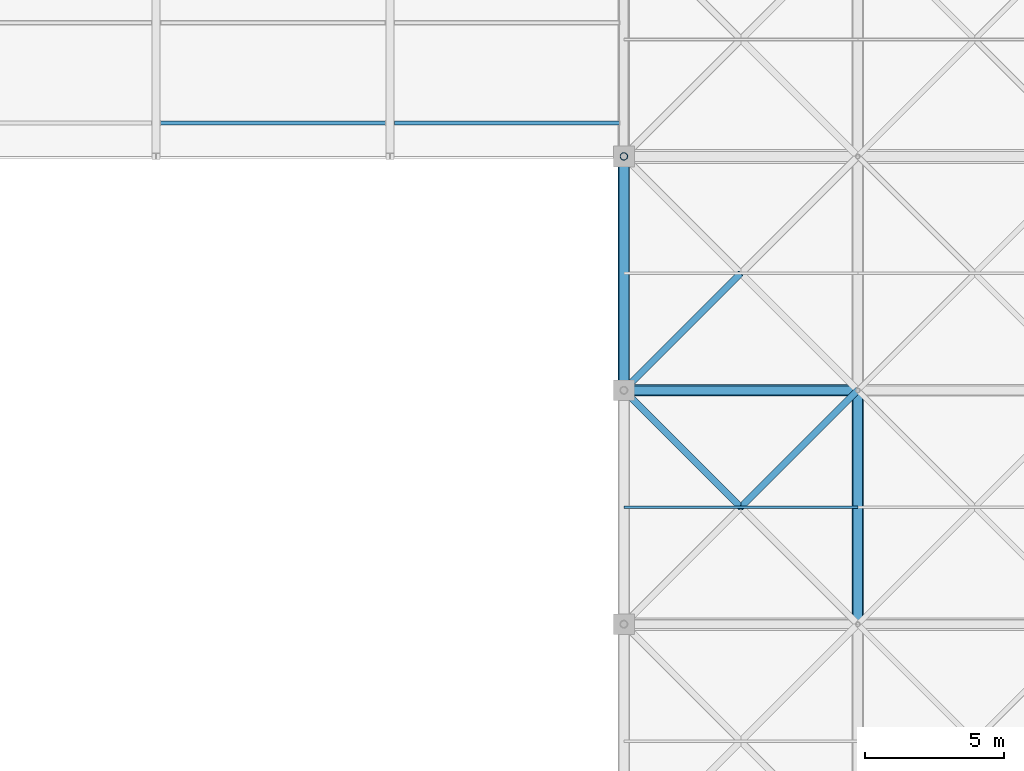
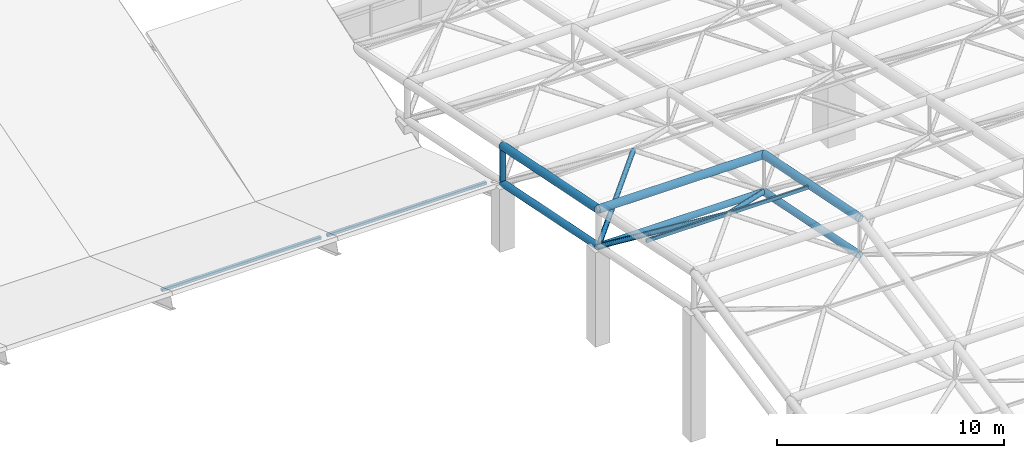
# One storey, part 40 of 110: 13 members.
"""IFC4 building model written with IfcOpenShell, lengths in metres."""

from ifc_helpers import new_model, si_unit, direction, frame, origin, origin_2d, place, context, subcontext, project, spatial, hollow_rectangle, hollow_circle, extrude, material, material_profile, profile_set, type_object, element, save


model = new_model("IFC4")

# Units and contexts
model_context = context("Model", 3, precision=1e-05, world=origin(), true_north=direction((0.0, 1.0)))
body_context = subcontext(model_context, "Body", "Model", "MODEL_VIEW")
ifc_project = project(units=[si_unit("LENGTHUNIT", "METRE"), si_unit("AREAUNIT", "SQUARE_METRE"), si_unit("VOLUMEUNIT", "CUBIC_METRE"), si_unit("PLANEANGLEUNIT", "RADIAN"), si_unit("MASSUNIT", "GRAM", prefix="KILO")], contexts=[model_context])

# Site, building, storey
site_placement = place(None, origin())
site = spatial("IfcSite", under=ifc_project, at=site_placement, CompositionType="ELEMENT")
building_placement = place(site_placement, origin())
building = spatial("IfcBuilding", under=site, at=building_placement, Name="Qawsi Khor Wholesale Market", CompositionType="ELEMENT")
storey_placement = place(building_placement, frame((0.0, 0.0, 11.39990234375)))
storey = spatial("IfcBuildingStorey", under=building, at=storey_placement, Name="L02", CompositionType="ELEMENT", Elevation=11.39990234375)

# Members
ifc_material = material(Name="Steel S355", Category="steel")
ifc_material_profile_1 = material_profile(ifc_material, hollow_rectangle(XDim=0.14990234375, YDim=0.14990234375, WallThickness=0.008056640625, InnerFilletRadius=0.008056640625, OuterFilletRadius=0.01611328125, at=origin_2d()), Name="SHS 150x150x8.0")
ifc_profile_set_1 = profile_set([ifc_material_profile_1], Name="Steel S355")
member_type_1 = type_object("IfcMemberType", Name="Auction Shed Purlin SHS 150x150x8.0", PredefinedType="PURLIN", material=ifc_profile_set_1)
for number, where, z_axis, x_axis, name in (
    (1, (126.162109375, 93.60009765625, 2.7333984375), (1.0, 0.0, 0.0), (0.0, 1.0, 0.0), "Auction Roof Purlin 16-1"),
    (2, (134.56201171875, 93.60009765625, 2.7333984375), (1.0, 0.0, 0.0), (0.0, 1.0, 0.0), "Auction Roof Purlin 17-1"),
):
    element("IfcMember", number, at=place(storey_placement, frame(where, z_axis=z_axis, x_axis=x_axis)), inside=storey, type_object=member_type_1, Name=name, PredefinedType="PURLIN", context=body_context, shape_type="SweptSolid", body=[
        extrude(hollow_rectangle(XDim=0.14990234375, YDim=0.14990234375, WallThickness=0.008056640625, InnerFilletRadius=0.008056640625, OuterFilletRadius=0.01611328125, at=origin_2d()), origin(), (0.0, 0.0, 1.0), 8.075927734375),
    ])
ifc_material_profile_2 = material_profile(ifc_material, hollow_circle(Radius=0.177734375, WallThickness=0.01611328125, at=origin_2d()), Name="CHS 355.6x16.0")
ifc_profile_set_2 = profile_set([ifc_material_profile_2], Name="Steel S355")
member_type_2 = type_object("IfcMemberType", Name="Space-Frame Bottom Chord CHS 355.6x16.0", PredefinedType="CHORD", material=ifc_profile_set_2)
for number, where, z_axis, x_axis, name in (
    (3, (142.800048828125, 84.0, 5.070068359375), (0.0, 0.980129990483, -0.1983562496), (-1.0, 0.0, 0.0), "Space frame bottom chord Y EH (17,10)"),
    (4, (151.199951171875, 75.60009765625, 6.77001953125), (0.0, 0.980129990483, -0.1983562496), (-1.0, 0.0, 0.0), "Space frame bottom chord Y EH (18,9)"),
):
    element("IfcMember", number, at=place(storey_placement, frame(where, z_axis=z_axis, x_axis=x_axis)), inside=storey, type_object=member_type_2, Name=name, PredefinedType="CHORD", context=body_context, shape_type="SweptSolid", body=[
        extrude(hollow_circle(Radius=0.177734375, WallThickness=0.01611328125, at=origin_2d()), origin(), (0.0, 0.0, 1.0), 8.5703125),
    ])
ifc_material_profile_3 = material_profile(ifc_material, hollow_circle(Radius=0.136474609375, WallThickness=0.012451171875, at=origin_2d()), Name="CHS 273.0x12.5")
ifc_profile_set_3 = profile_set([ifc_material_profile_3], Name="Steel S355")
member_type_3 = type_object("IfcMemberType", Name="Space-Frame Edge Post CHS 273.0x12.5", PredefinedType="POST", material=ifc_profile_set_3)
member_1_placement = place(storey_placement, frame((142.800048828125, 92.39990234375, 3.3701171875), z_axis=(0.0, 0.0, 1.0), x_axis=(1.0, 0.0, 0.0)))
element("IfcMember", 5, at=member_1_placement, inside=storey, type_object=member_type_3, Name="Space frame post EH (17,11)", PredefinedType="POST", context=body_context, shape_type="SweptSolid", body=[
    extrude(hollow_circle(Radius=0.136474609375, WallThickness=0.012451171875, at=origin_2d()), origin(), (0.0, 0.0, 1.0), 2.0),
])
ifc_material_profile_4 = material_profile(ifc_material, hollow_circle(Radius=0.122314453125, WallThickness=0.012451171875, at=origin_2d()), Name="CHS 244.5x12.5")
ifc_profile_set_4 = profile_set([ifc_material_profile_4], Name="Steel S355")
member_type_4 = type_object("IfcMemberType", Name="Space-Frame Heavy Diagonal CHS 244.5x12.5", PredefinedType="POST", material=ifc_profile_set_4)
for number, where, z_axis, x_axis, name in (
    (6, (151.199951171875, 84.0, 5.070068359375), (-0.637511741089, -0.637511741089, 0.432617105474), (0.707106781187, -0.707106781187, 0.0), "Space frame diagonal EH (17,9)-3"),
    (7, (142.800048828125, 84.0, 5.070068359375), (0.637511741089, -0.637511741089, 0.432617105474), (0.707106781187, 0.707106781187, 0.0), "Space frame diagonal EH (17,9)-4"),
):
    element("IfcMember", number, at=place(storey_placement, frame(where, z_axis=z_axis, x_axis=x_axis)), inside=storey, type_object=member_type_4, Name=name, PredefinedType="POST", context=body_context, shape_type="SweptSolid", body=[
        extrude(hollow_circle(Radius=0.122314453125, WallThickness=0.012451171875, at=origin_2d()), origin(), (0.0, 0.0, 1.0), 6.588134765625),
    ])
member_2_placement = place(storey_placement, frame((142.800048828125, 84.0, 5.070068359375), z_axis=(0.694211389158, 0.694211389158, 0.190108112208), x_axis=(-0.707106781187, 0.707106781187, 0.0)))
element("IfcMember", 8, at=member_2_placement, inside=storey, type_object=member_type_4, Name="Space frame diagonal EH (17,10)-1", PredefinedType="POST", context=body_context, shape_type="SweptSolid", body=[
    extrude(hollow_circle(Radius=0.122314453125, WallThickness=0.012451171875, at=origin_2d()), origin(), (0.0, 0.0, 1.0), 6.050048828125),
])
ifc_material_profile_5 = material_profile(ifc_material, hollow_rectangle(XDim=0.10009765625, YDim=0.199951171875, WallThickness=0.008056640625, InnerFilletRadius=0.008056640625, OuterFilletRadius=0.01611328125, at=origin_2d()), Name="RHS 200x100x8.0")
ifc_profile_set_5 = profile_set([ifc_material_profile_5], Name="Steel S355")
member_type_5 = type_object("IfcMemberType", Name="Space-Frame Purlin RHS 200x100x8.0", PredefinedType="PURLIN", material=ifc_profile_set_5)
member_3_placement = place(storey_placement, frame((142.800048828125, 79.800048828125, 7.920166015625), z_axis=(1.0, 0.0, 0.0), x_axis=(0.0, 1.0, 0.0)))
element("IfcMember", 9, at=member_3_placement, inside=storey, type_object=member_type_5, Name="Space frame purlin EH (17,9)", PredefinedType="PURLIN", context=body_context, shape_type="SweptSolid", body=[
    extrude(hollow_rectangle(XDim=0.10009765625, YDim=0.199951171875, WallThickness=0.008056640625, InnerFilletRadius=0.008056640625, OuterFilletRadius=0.01611328125, at=origin_2d()), origin(), (0.0, 0.0, 1.0), 8.39990234375),
])
ifc_material_profile_6 = material_profile(ifc_material, hollow_circle(Radius=0.161865234375, WallThickness=0.01611328125, at=origin_2d()), Name="CHS 323.9x16.0")
ifc_profile_set_6 = profile_set([ifc_material_profile_6], Name="Steel S355")
member_type_6 = type_object("IfcMemberType", Name="Space-Frame Secondary Chord CHS 323.9x16.0", PredefinedType="CHORD", material=ifc_profile_set_6)
member_4_placement = place(storey_placement, frame((142.800048828125, 84.0, 5.070068359375), z_axis=(1.0, 0.0, 0.0), x_axis=(0.0, 1.0, 0.0)))
element("IfcMember", 10, at=member_4_placement, inside=storey, type_object=member_type_6, Name="Space frame bottom chord X EH (17,10)", PredefinedType="CHORD", context=body_context, shape_type="SweptSolid", body=[
    extrude(hollow_circle(Radius=0.161865234375, WallThickness=0.01611328125, at=origin_2d()), origin(), (0.0, 0.0, 1.0), 8.39990234375),
])
ifc_material_profile_7 = material_profile(ifc_material, hollow_circle(Radius=0.203125, WallThickness=0.02001953125, at=origin_2d()), Name="CHS 406.4x20.0")
ifc_profile_set_7 = profile_set([ifc_material_profile_7], Name="Steel S355")
member_type_7 = type_object("IfcMemberType", Name="Space-Frame Top Chord CHS 406.4x20.0", PredefinedType="CHORD", material=ifc_profile_set_7)
member_5_placement = place(storey_placement, frame((142.800048828125, 84.0, 7.070068359375), z_axis=(1.0, 0.0, 0.0), x_axis=(0.0, 1.0, 0.0)))
element("IfcMember", 11, at=member_5_placement, inside=storey, type_object=member_type_7, Name="Space frame top chord X EH (17,10)", PredefinedType="CHORD", context=body_context, shape_type="SweptSolid", body=[
    extrude(hollow_circle(Radius=0.203125, WallThickness=0.02001953125, at=origin_2d()), origin(), (0.0, 0.0, 1.0), 8.39990234375),
])
for number, where, z_axis, x_axis, name in (
    (12, (142.800048828125, 84.0, 7.070068359375), (0.0, 0.980129990483, -0.1983562496), (-1.0, 0.0, 0.0), "Space frame top chord Y EH (17,10)"),
    (13, (151.199951171875, 75.60009765625, 8.77001953125), (0.0, 0.980129990483, -0.1983562496), (-1.0, 0.0, 0.0), "Space frame top chord Y EH (18,9)"),
):
    element("IfcMember", number, at=place(storey_placement, frame(where, z_axis=z_axis, x_axis=x_axis)), inside=storey, type_object=member_type_7, Name=name, PredefinedType="CHORD", context=body_context, shape_type="SweptSolid", body=[
        extrude(hollow_circle(Radius=0.203125, WallThickness=0.02001953125, at=origin_2d()), origin(), (0.0, 0.0, 1.0), 8.5703125),
    ])

save(model, "model.ifc")
